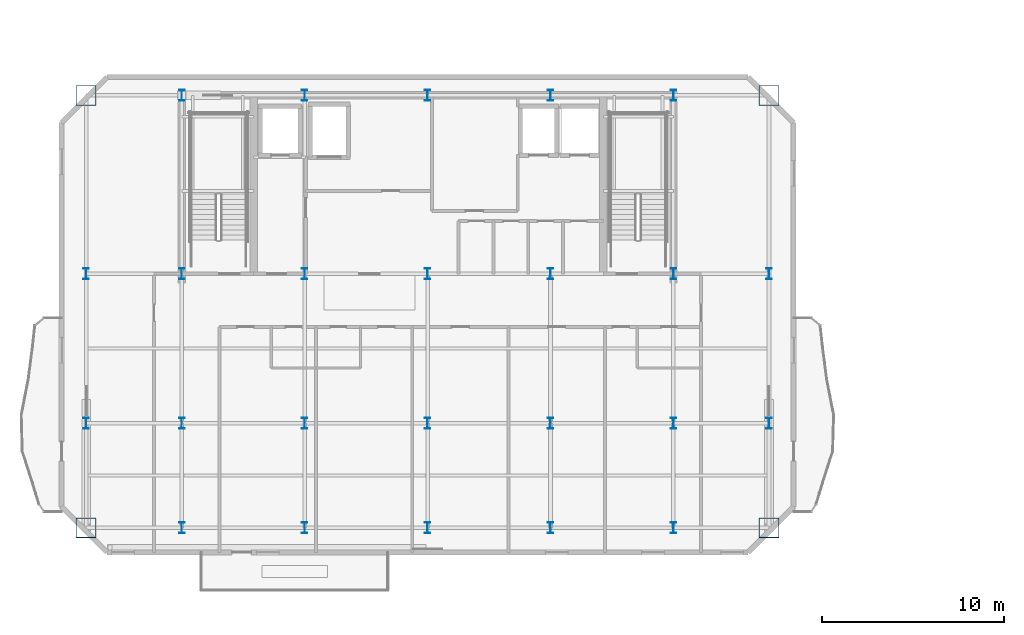
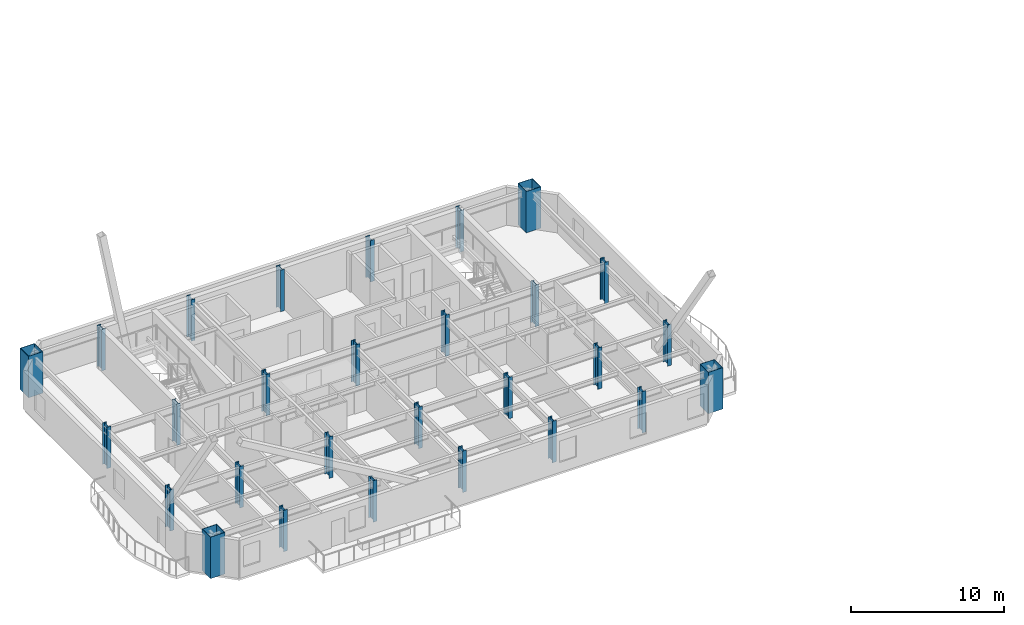
# One storey, part 1 of 14: 28 columns.
"""IFC4 building model written with IfcOpenShell, lengths in metres."""

import ifcopenshell
import ifcopenshell.guid

model = None  # the IFC model being written
_history = None  # IfcOwnerHistory: only IFC2X3 demands one
_inside = {}  # id of a spatial element -> (the spatial element, [elements in it])
_under = {}  # id of a project, library or spatial element -> (it, [spatial elements below it])
_declared = {}  # id of a project -> (the project, [libraries it declares])
_typed = {}  # id of a type object -> (the type object, [elements of that type])
_made_of = {}  # id of a material, layer set ... -> (it, [elements and type objects made of it])


def new_model(schema):
    """Start an empty IFC model of exactly this schema.

    Asked for "IFC4X3", IfcOpenShell would pick the latest addendum, in which some entities
    have other attributes; the version numbers below select the first issue.
    IFC2X3 requires an IfcOwnerHistory on every rooted entity: one is made here for all.
    """
    global model, _history
    if schema == "IFC4X3":
        model = ifcopenshell.file(schema_version=(4, 3, 0, 0))
    else:
        model = ifcopenshell.file(schema=schema)
    _inside.clear()
    _under.clear()
    _declared.clear()
    _typed.clear()
    _made_of.clear()
    _history = None
    if model.schema == "IFC2X3":
        org = make("IfcOrganization", Name="unknown")
        user = make(
            "IfcPersonAndOrganization",
            ThePerson=make("IfcPerson", FamilyName="unknown"),
            TheOrganization=org,
        )
        app = make(
            "IfcApplication",
            ApplicationDeveloper=org,
            Version="unknown",
            ApplicationFullName="unknown",
            ApplicationIdentifier="unknown",
        )
        _history = make(
            "IfcOwnerHistory",
            OwningUser=user,
            OwningApplication=app,
            ChangeAction="ADDED",
            CreationDate=0,
        )
    return model


def make(cls, **values):
    """One entity of the class cls with the attributes given. An attribute that is None is left unset."""
    return model.create_entity(
        cls, **{name: value for name, value in values.items() if value is not None}
    )


def rooted(cls, **values):
    """An entity with a GlobalId (a new one), such as an element, a storey or a relation."""
    return make(cls, GlobalId=ifcopenshell.guid.new(), OwnerHistory=_history, **values)


def si_unit(unit_type, name, prefix=None):
    """IfcSIUnit, for example si_unit("LENGTHUNIT", "METRE", prefix="MILLI")."""
    return make("IfcSIUnit", UnitType=unit_type, Prefix=prefix, Name=name)


def assignment(units):
    """IfcUnitAssignment: the units of a project."""
    return None if units is None else make("IfcUnitAssignment", Units=units)


def point(xyz):
    """IfcCartesianPoint."""
    return None if xyz is None else make("IfcCartesianPoint", Coordinates=xyz)


def direction(xyz):
    """IfcDirection."""
    return None if xyz is None else make("IfcDirection", DirectionRatios=xyz)


def frame(location, z_axis=None, x_axis=None):
    """IfcAxis2Placement3D, a coordinate frame: its origin and axes. An axis left out is left unset."""
    return make(
        "IfcAxis2Placement3D",
        Location=point(location),
        Axis=direction(z_axis),
        RefDirection=direction(x_axis),
    )


def frame_2d(location, x_axis=None):
    """IfcAxis2Placement2D, a coordinate frame in the plane: its origin and x axis."""
    return make(
        "IfcAxis2Placement2D", Location=point(location), RefDirection=direction(x_axis)
    )


def origin():
    """The frame at (0, 0, 0) with its axes left unset."""
    return frame((0.0, 0.0, 0.0))


def origin_2d():
    """The frame at (0, 0) in the plane with its x axis left unset."""
    return frame_2d((0.0, 0.0))


def place(relative_to, where):
    """IfcLocalPlacement: puts the frame where relative to a parent placement (None: the world)."""
    return make(
        "IfcLocalPlacement", PlacementRelTo=relative_to, RelativePlacement=where
    )


def context(
    kind, dimensions, precision=None, world=None, true_north=None, identifier=None
):
    """IfcGeometricRepresentationContext, for example the 3D "Model" context."""
    return make(
        "IfcGeometricRepresentationContext",
        ContextIdentifier=identifier,
        ContextType=kind,
        CoordinateSpaceDimension=dimensions,
        Precision=precision,
        WorldCoordinateSystem=world,
        TrueNorth=true_north,
    )


def subcontext(parent, identifier, kind, view, scale=None):
    """IfcGeometricRepresentationSubContext, for example "Body" below "Model"."""
    return make(
        "IfcGeometricRepresentationSubContext",
        ContextIdentifier=identifier,
        ContextType=kind,
        ParentContext=parent,
        TargetScale=scale,
        TargetView=view,
    )


def project(units=None, contexts=None):
    """IfcProject with its units and contexts."""
    return rooted(
        "IfcProject",
        Name="project",
        RepresentationContexts=contexts,
        UnitsInContext=assignment(units),
    )


def spatial(cls, under=None, at=None, **own):
    """A site, building, storey or space (cls), placed at a placement, below another one or the project."""
    s = rooted(cls, ObjectPlacement=at, **own)
    if under is not None:
        _under.setdefault(under.id(), (under, []))[1].append(s)
    return s


def profile(cls, at=None, kind="AREA", **sizes):
    """A parametric profile (cls). Its sizes go by their IFC names, for example OverallWidth=200.0."""
    return make(cls, ProfileType=kind, Position=at, **sizes)


def hollow_rectangle(**sizes):
    """IfcRectangleHollowProfileDef."""
    return profile("IfcRectangleHollowProfileDef", **sizes)


def i_section(**sizes):
    """IfcIShapeProfileDef."""
    return profile("IfcIShapeProfileDef", **sizes)


def extrude(swept, where, along, depth):
    """IfcExtrudedAreaSolid: the profile swept, set in the frame where, extruded along a direction by depth."""
    return make(
        "IfcExtrudedAreaSolid",
        SweptArea=swept,
        Position=where,
        ExtrudedDirection=direction(along),
        Depth=depth,
    )


def shape(context_of_items, identifier, shape_type, items):
    """IfcShapeRepresentation: the items that make up one representation, for example the "Body"."""
    return make(
        "IfcShapeRepresentation",
        ContextOfItems=context_of_items,
        RepresentationIdentifier=identifier,
        RepresentationType=shape_type,
        Items=items,
    )


def material(Name=None, Category=None):
    """IfcMaterial."""
    return make("IfcMaterial", Name=Name, Category=Category)


def material_profile(
    of_material, cross_section, Name=None, Category=None, Priority=None
):
    """IfcMaterialProfile: a cross section and its material."""
    return make(
        "IfcMaterialProfile",
        Name=Name,
        Material=of_material,
        Profile=cross_section,
        Priority=Priority,
        Category=Category,
    )


def profile_set(profiles, Name=None, composite=None):
    """IfcMaterialProfileSet."""
    return make(
        "IfcMaterialProfileSet",
        Name=Name,
        MaterialProfiles=profiles,
        CompositeProfile=composite,
    )


def made_of(thing, what):
    """Note that an element or type object is made of a material, layer set ...; save() writes the relation."""
    if what is not None:
        _made_of.setdefault(what.id(), (what, []))[1].append(thing)
    return thing


def type_object(cls, material=None, **own):
    """A type object (cls), such as IfcWallType, which elements share."""
    return made_of(rooted(cls, **own), material)


def element(
    cls,
    number,
    at=None,
    inside=None,
    cuts=None,
    type_object=None,
    material=None,
    context=None,
    identifier="Body",
    shape_type=None,
    held_by="IfcProductDefinitionShape",
    body=None,
    shapes=None,
    **own,
):
    """One element of the class cls, such as IfcWall. Its Tag is "e" and its number.

    at: its placement. inside: the storey or other place that contains it. cuts: it is an
    opening in that element (IfcRelVoidsElement). A single representation is given by context,
    identifier, shape_type and body (its items); several are given by shapes. held_by: the class
    of the entity that holds the representations. save() writes the other relations.
    """
    e = rooted(cls, Tag="e%d" % number, ObjectPlacement=at, **own)
    if body is not None:
        shapes = [shape(context, identifier, shape_type, body)]
    if shapes is not None:
        e.Representation = make(held_by, Representations=shapes)
    if inside is not None:
        _inside.setdefault(inside.id(), (inside, []))[1].append(e)
    if cuts is not None:
        rooted(
            "IfcRelVoidsElement", RelatingBuildingElement=cuts, RelatedOpeningElement=e
        )
    if type_object is not None:
        _typed.setdefault(type_object.id(), (type_object, []))[1].append(e)
    return made_of(e, material)


def aggregate(whole, parts):
    """IfcRelAggregates: a whole, such as a stair, and the parts it consists of."""
    return rooted("IfcRelAggregates", RelatingObject=whole, RelatedObjects=parts)


def save(model, path):
    """Write the relations noted so far, then the file.

    IfcRelAggregates (storeys below a building ...), IfcRelContainedInSpatialStructure (elements
    in a storey), IfcRelDefinesByType, IfcRelAssociatesMaterial and IfcRelDeclares: one each for
    every whole, place, type object, material and project.
    """
    for whole, parts in _under.values():
        aggregate(whole, parts)
    for where, things in _inside.values():
        rooted(
            "IfcRelContainedInSpatialStructure",
            RelatedElements=things,
            RelatingStructure=where,
        )
    for kind, things in _typed.values():
        rooted("IfcRelDefinesByType", RelatedObjects=things, RelatingType=kind)
    for what, things in _made_of.values():
        rooted("IfcRelAssociatesMaterial", RelatedObjects=things, RelatingMaterial=what)
    for by, libraries in _declared.values():
        rooted("IfcRelDeclares", RelatingContext=by, RelatedDefinitions=libraries)
    model.write(path)


model = new_model("IFC4")

# Units and contexts
model_context = context("Model", 3, precision=1e-05, world=origin(), true_north=direction((0.0, 1.0)))
body_context = subcontext(model_context, "Body", "Model", "MODEL_VIEW")
ifc_project = project(units=[si_unit("LENGTHUNIT", "METRE"), si_unit("AREAUNIT", "SQUARE_METRE"), si_unit("VOLUMEUNIT", "CUBIC_METRE"), si_unit("PLANEANGLEUNIT", "RADIAN"), si_unit("MASSUNIT", "GRAM", prefix="KILO")], contexts=[model_context])

# Site, building, storey
site_placement = place(None, origin())
site = spatial("IfcSite", under=ifc_project, at=site_placement, CompositionType="ELEMENT")
building_placement = place(site_placement, origin())
building = spatial("IfcBuilding", under=site, at=building_placement, Name="Haevon Station Towers", CompositionType="ELEMENT")
storey_placement = place(building_placement, frame((0.0, 0.0, 228.60009765625)))
storey = spatial("IfcBuildingStorey", under=building, at=storey_placement, Name="L63", CompositionType="ELEMENT", Elevation=228.60009765625)

# Columns
ifc_material_1 = material(Name="Steel S460", Category="steel")
ifc_material_profile_1 = material_profile(ifc_material_1, hollow_rectangle(XDim=1.10009765625, YDim=1.10009765625, WallThickness=0.031982421875, at=origin_2d()), Name="BOX-1100x1100x32")
ifc_profile_set_1 = profile_set([ifc_material_profile_1], Name="Steel S460")
column_type_1 = type_object("IfcColumnType", Name="COL-MC5", PredefinedType="COLUMN", material=ifc_profile_set_1)
for number, where, z_axis, x_axis, name in (
    (1, (18.75, 24.25, 0.0), (0.0, 0.0, 1.0), (1.0, 0.0, 0.0), "COL-T1-L63-01-01"),
    (2, (18.75, 48.0, 0.0), (0.0, 0.0, 1.0), (1.0, 0.0, 0.0), "COL-T1-L63-01-04"),
    (3, (56.25, 24.25, 0.0), (0.0, 0.0, 1.0), (1.0, 0.0, 0.0), "COL-T1-L63-07-01"),
    (4, (56.25, 48.0, 0.0), (0.0, 0.0, 1.0), (1.0, 0.0, 0.0), "COL-T1-L63-07-04"),
):
    element("IfcColumn", number, at=place(storey_placement, frame(where, z_axis=z_axis, x_axis=x_axis)), inside=storey, type_object=column_type_1, Name=name, PredefinedType="COLUMN", context=body_context, shape_type="SweptSolid", body=[
        extrude(hollow_rectangle(XDim=1.10009765625, YDim=1.10009765625, WallThickness=0.031982421875, at=origin_2d()), origin(), (0.0, 0.0, 1.0), 3.2998046875),
    ])
ifc_material_2 = material(Name="Steel S355", Category="steel")
ifc_material_profile_2 = material_profile(ifc_material_2, i_section(OverallWidth=0.300048828125, OverallDepth=0.60009765625, WebThickness=0.013916015625, FlangeThickness=0.02490234375, at=origin_2d()), Name="H-600x300x14x25")
ifc_profile_set_2 = profile_set([ifc_material_profile_2], Name="Steel S355")
column_type_2 = type_object("IfcColumnType", Name="COL-TW4", PredefinedType="COLUMN", material=ifc_profile_set_2)
for number, where, z_axis, x_axis, name in (
    (5, (18.75, 30.0, 0.0), (0.0, 0.0, 1.0), (1.0, 0.0, 0.0), "COL-T1-L63-01-02"),
    (6, (18.75, 38.199951171875, 0.0), (0.0, 0.0, 1.0), (1.0, 0.0, 0.0), "COL-T1-L63-01-03"),
    (7, (24.0, 24.25, 0.0), (0.0, 0.0, 1.0), (1.0, 0.0, 0.0), "COL-T1-L63-02-01"),
    (8, (24.0, 30.0, 0.0), (0.0, 0.0, 1.0), (1.0, 0.0, 0.0), "COL-T1-L63-02-02"),
    (9, (24.0, 38.199951171875, 0.0), (0.0, 0.0, 1.0), (1.0, 0.0, 0.0), "COL-T1-L63-02-03"),
    (10, (24.0, 48.0, 0.0), (0.0, 0.0, 1.0), (1.0, 0.0, 0.0), "COL-T1-L63-02-04"),
    (11, (30.75, 24.25, 0.0), (0.0, 0.0, 1.0), (1.0, 0.0, 0.0), "COL-T1-L63-03-01"),
    (12, (30.75, 30.0, 0.0), (0.0, 0.0, 1.0), (1.0, 0.0, 0.0), "COL-T1-L63-03-02"),
    (13, (30.75, 38.199951171875, 0.0), (0.0, 0.0, 1.0), (1.0, 0.0, 0.0), "COL-T1-L63-03-03"),
    (14, (30.75, 48.0, 0.0), (0.0, 0.0, 1.0), (1.0, 0.0, 0.0), "COL-T1-L63-03-04"),
    (15, (37.5, 24.25, 0.0), (0.0, 0.0, 1.0), (1.0, 0.0, 0.0), "COL-T1-L63-04-01"),
    (16, (37.5, 30.0, 0.0), (0.0, 0.0, 1.0), (1.0, 0.0, 0.0), "COL-T1-L63-04-02"),
    (17, (37.5, 38.199951171875, 0.0), (0.0, 0.0, 1.0), (1.0, 0.0, 0.0), "COL-T1-L63-04-03"),
    (18, (37.5, 48.0, 0.0), (0.0, 0.0, 1.0), (1.0, 0.0, 0.0), "COL-T1-L63-04-04"),
    (19, (44.25, 24.25, 0.0), (0.0, 0.0, 1.0), (1.0, 0.0, 0.0), "COL-T1-L63-05-01"),
    (20, (44.25, 30.0, 0.0), (0.0, 0.0, 1.0), (1.0, 0.0, 0.0), "COL-T1-L63-05-02"),
    (21, (44.25, 38.199951171875, 0.0), (0.0, 0.0, 1.0), (1.0, 0.0, 0.0), "COL-T1-L63-05-03"),
    (22, (44.25, 48.0, 0.0), (0.0, 0.0, 1.0), (1.0, 0.0, 0.0), "COL-T1-L63-05-04"),
    (23, (51.0, 24.25, 0.0), (0.0, 0.0, 1.0), (1.0, 0.0, 0.0), "COL-T1-L63-06-01"),
    (24, (51.0, 30.0, 0.0), (0.0, 0.0, 1.0), (1.0, 0.0, 0.0), "COL-T1-L63-06-02"),
    (25, (51.0, 38.199951171875, 0.0), (0.0, 0.0, 1.0), (1.0, 0.0, 0.0), "COL-T1-L63-06-03"),
    (26, (51.0, 48.0, 0.0), (0.0, 0.0, 1.0), (1.0, 0.0, 0.0), "COL-T1-L63-06-04"),
    (27, (56.25, 30.0, 0.0), (0.0, 0.0, 1.0), (1.0, 0.0, 0.0), "COL-T1-L63-07-02"),
    (28, (56.25, 38.199951171875, 0.0), (0.0, 0.0, 1.0), (1.0, 0.0, 0.0), "COL-T1-L63-07-03"),
):
    element("IfcColumn", number, at=place(storey_placement, frame(where, z_axis=z_axis, x_axis=x_axis)), inside=storey, type_object=column_type_2, Name=name, PredefinedType="COLUMN", context=body_context, shape_type="SweptSolid", body=[
        extrude(i_section(OverallWidth=0.300048828125, OverallDepth=0.60009765625, WebThickness=0.013916015625, FlangeThickness=0.02490234375, at=origin_2d()), origin(), (0.0, 0.0, 1.0), 3.2998046875),
    ])

save(model, "model.ifc")
